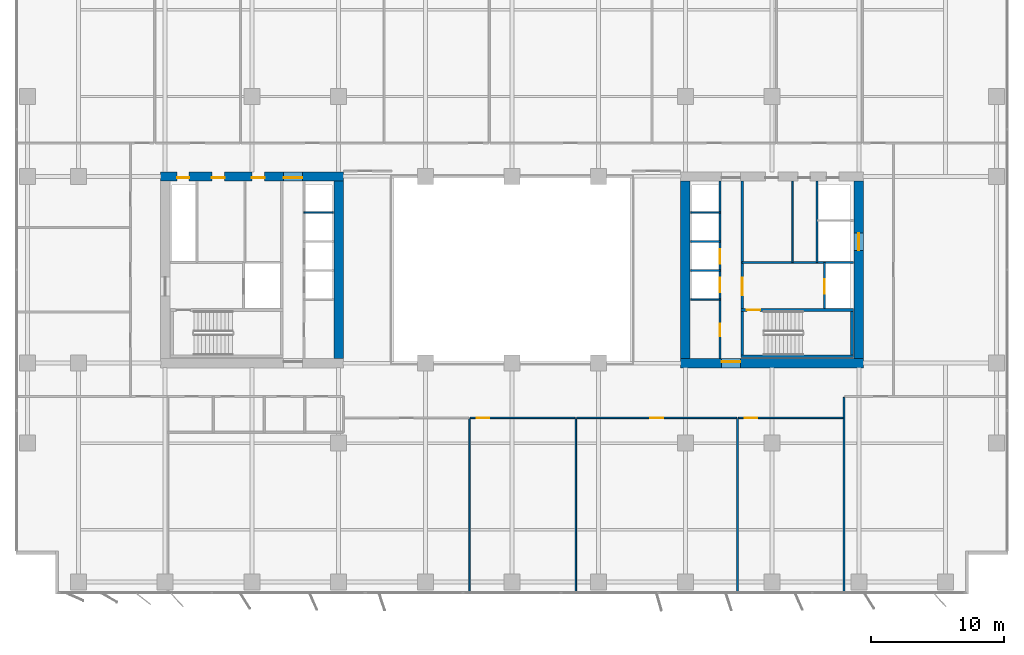
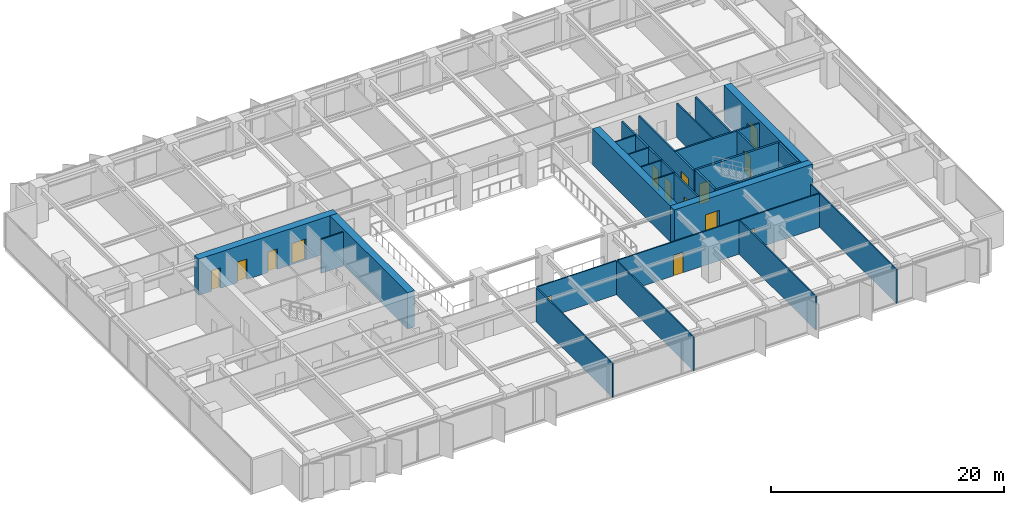
# One storey, part 14 of 20: 27 walls, 15 doors, 15 openings.
"""IFC4 building model written with IfcOpenShell, lengths in metres."""

from ifc_helpers import new_model, si_unit, direction, frame, frame_2d, origin, place, context, subcontext, project, spatial, rectangle, extrude, material, layer, layer_set, type_object, element, fill, save


model = new_model("IFC4")

# Units and contexts
model_context = context("Model", 3, precision=1e-05, world=origin(), true_north=direction((0.0, 1.0)))
body_context = subcontext(model_context, "Body", "Model", "MODEL_VIEW")
ifc_project = project(units=[si_unit("LENGTHUNIT", "METRE"), si_unit("AREAUNIT", "SQUARE_METRE"), si_unit("VOLUMEUNIT", "CUBIC_METRE"), si_unit("PLANEANGLEUNIT", "RADIAN"), si_unit("MASSUNIT", "GRAM", prefix="KILO")], contexts=[model_context])

# Site, building, storey
site_placement = place(None, origin())
site = spatial("IfcSite", under=ifc_project, at=site_placement, CompositionType="ELEMENT")
building_placement = place(site_placement, origin())
building = spatial("IfcBuilding", under=site, at=building_placement, Name="Putna Gate Headquarters", CompositionType="ELEMENT")
storey_placement = place(building_placement, frame((0.0, 0.0, 124.0)))
storey = spatial("IfcBuildingStorey", under=building, at=storey_placement, Name="L30", CompositionType="ELEMENT", Elevation=124.0)

# Wall, openings, doors
ifc_material_1 = material(Name="Concrete C60/75", Category="concrete")
ifc_layer_1 = layer(ifc_material_1, 0.699951171875)
ifc_layer_set_1 = layer_set([ifc_layer_1], Name="Concrete C60/75")
wall_type_1 = type_object("IfcWallType", Name="WALL-CORE-700", PredefinedType="SHEAR", material=ifc_layer_set_1)
wall_1_placement = place(storey_placement, frame((12.64990234375, 33.0, 0.0), z_axis=(0.0, 0.0, 1.0), x_axis=(1.0, 0.0, 0.0)))
wall_1 = element("IfcWall", 1, at=wall_1_placement, inside=storey, type_object=wall_type_1, Name="L30 WC Split Core Shear Wall N", PredefinedType="SHEAR", context=body_context, shape_type="SweptSolid", body=[
    extrude(rectangle(XDim=13.7001953125, YDim=0.699951171875, at=frame_2d((6.85009765625, 0.0))), origin(), (0.0, 0.0, 1.0), 3.800048828125),
])
opening_1_placement = place(wall_1_placement, frame((1.25, 0.0, 0.0)))
opening_1 = element("IfcOpeningElement", 2, at=opening_1_placement, cuts=wall_1, Name="Opening RD-90", PredefinedType="OPENING", context=body_context, shape_type="SweptSolid", body=[
    extrude(rectangle(XDim=0.89990234375, YDim=2.14990234375, at=frame_2d((0.449951171875, 1.074951171875))), frame((0.0, 0.35986328125, 0.0), z_axis=(0.0, -1.0, 0.0), x_axis=(1.0, 0.0, 0.0)), (0.0, 0.0, 1.0), 0.719970703125),
])
opening_2_placement = place(wall_1_placement, frame((3.85009765625, 0.0, 0.0)))
opening_2 = element("IfcOpeningElement", 3, at=opening_2_placement, cuts=wall_1, Name="Opening IDS-95", PredefinedType="OPENING", context=body_context, shape_type="SweptSolid", body=[
    extrude(rectangle(XDim=0.949951171875, YDim=2.14990234375, at=frame_2d((0.47509765625, 1.074951171875))), frame((0.0, 0.35986328125, 0.0), z_axis=(0.0, -1.0, 0.0), x_axis=(1.0, 0.0, 0.0)), (0.0, 0.0, 1.0), 0.719970703125),
])
opening_3_placement = place(wall_1_placement, frame((6.85009765625, 0.0, 0.0)))
opening_3 = element("IfcOpeningElement", 4, at=opening_3_placement, cuts=wall_1, Name="Opening IDS-95", PredefinedType="OPENING", context=body_context, shape_type="SweptSolid", body=[
    extrude(rectangle(XDim=0.949951171875, YDim=2.14990234375, at=frame_2d((0.47509765625, 1.074951171875))), frame((0.0, 0.35986328125, 0.0), z_axis=(0.0, -1.0, 0.0), x_axis=(1.0, 0.0, 0.0)), (0.0, 0.0, 1.0), 0.719970703125),
])
opening_4_placement = place(wall_1_placement, frame((9.22998046875, 0.0, 0.0)))
opening_4 = element("IfcOpeningElement", 5, at=opening_4_placement, cuts=wall_1, Name="Opening FDD-140", PredefinedType="OPENING", context=body_context, shape_type="SweptSolid", body=[
    extrude(rectangle(XDim=1.39990234375, YDim=2.199951171875, at=frame_2d((0.699951171875, 1.10009765625))), frame((0.0, 0.35986328125, 0.0), z_axis=(0.0, -1.0, 0.0), x_axis=(1.0, 0.0, 0.0)), (0.0, 0.0, 1.0), 0.719970703125),
])
ifc_material_2 = material(Name="Double steel fire door", Category="steel")
door_type_1 = type_object("IfcDoorType", Name="DOOR-FIRE-DBL-1400", OperationType="DOUBLE_DOOR_SINGLE_SWING", PredefinedType="DOOR", material=ifc_material_2)
door_1_placement = place(opening_4_placement, origin())
door_1 = element("IfcDoor", 6, at=door_1_placement, inside=storey, type_object=door_type_1, Name="L30 West Lift Lobby North Door", OperationType="DOUBLE_DOOR_SINGLE_SWING", OverallHeight=2.199951171875, OverallWidth=1.39990234375, PredefinedType="DOOR", context=body_context, shape_type="SweptSolid", body=[
    extrude(rectangle(XDim=1.39990234375, YDim=2.199951171875, at=frame_2d((0.699951171875, 1.10009765625))), frame((0.0, -0.0751953125, 0.0), z_axis=(0.0, -1.0, 0.0), x_axis=(1.0, 0.0, 0.0)), (0.0, 0.0, 1.0), 0.050048828125),
])
fill(opening_4, door_1)
ifc_material_3 = material(Name="Fire-rated service timber door", Category="wood")
door_type_2 = type_object("IfcDoorType", Name="DOOR-INT-950", OperationType="NOTDEFINED", PredefinedType="DOOR", material=ifc_material_3)
door_2_placement = place(opening_2_placement, origin())
door_2 = element("IfcDoor", 7, at=door_2_placement, inside=storey, type_object=door_type_2, Name="L30 Cleaner Store Door", OperationType="SINGLE_SWING_LEFT", OverallHeight=2.14990234375, OverallWidth=0.949951171875, PredefinedType="DOOR", context=body_context, shape_type="SweptSolid", body=[
    extrude(rectangle(XDim=0.949951171875, YDim=2.14990234375, at=frame_2d((0.47509765625, 1.074951171875))), frame((0.0, -0.0751953125, 0.0), z_axis=(0.0, -1.0, 0.0), x_axis=(1.0, 0.0, 0.0)), (0.0, 0.0, 1.0), 0.050048828125),
])
fill(opening_2, door_2)
door_3_placement = place(opening_3_placement, origin())
door_3 = element("IfcDoor", 8, at=door_3_placement, inside=storey, type_object=door_type_2, Name="L30 Comms Plant Door", OperationType="SINGLE_SWING_RIGHT", OverallHeight=2.14990234375, OverallWidth=0.949951171875, PredefinedType="DOOR", context=body_context, shape_type="SweptSolid", body=[
    extrude(rectangle(XDim=0.949951171875, YDim=2.14990234375, at=frame_2d((0.47509765625, 1.074951171875))), frame((0.0, -0.0751953125, 0.0), z_axis=(0.0, -1.0, 0.0), x_axis=(1.0, 0.0, 0.0)), (0.0, 0.0, 1.0), 0.050048828125),
])
fill(opening_3, door_3)
ifc_material_4 = material(Name="Steel riser access fire door", Category="steel")
door_type_3 = type_object("IfcDoorType", Name="DOOR-RISER-900", OperationType="NOTDEFINED", PredefinedType="DOOR", material=ifc_material_4)
door_4_placement = place(opening_1_placement, origin())
door_4 = element("IfcDoor", 9, at=door_4_placement, inside=storey, type_object=door_type_3, Name="L30 West Riser Access Door", OperationType="SINGLE_SWING_RIGHT", OverallHeight=2.14990234375, OverallWidth=0.89990234375, PredefinedType="DOOR", context=body_context, shape_type="SweptSolid", body=[
    extrude(rectangle(XDim=0.89990234375, YDim=2.14990234375, at=frame_2d((0.449951171875, 1.074951171875))), frame((0.0, -0.0751953125, 0.0), z_axis=(0.0, -1.0, 0.0), x_axis=(1.0, 0.0, 0.0)), (0.0, 0.0, 1.0), 0.050048828125),
])
fill(opening_1, door_4)

# Wall
wall_2_placement = place(storey_placement, frame((26.0, 19.35009765625, 0.0), z_axis=(0.0, 0.0, 1.0), x_axis=(0.0, 1.0, 0.0)))
element("IfcWall", 10, at=wall_2_placement, inside=storey, type_object=wall_type_1, Name="L30 WC Split Core Shear Wall E", PredefinedType="SHEAR", context=body_context, shape_type="SweptSolid", body=[
    extrude(rectangle(XDim=13.2998046875, YDim=0.699951171875, at=frame_2d((6.64990234375, 0.0))), origin(), (0.0, 0.0, 1.0), 3.800048828125),
])

# Wall, opening, door
wall_3_placement = place(storey_placement, frame((51.64990234375, 19.0, 0.0), z_axis=(0.0, 0.0, 1.0), x_axis=(1.0, 0.0, 0.0)))
wall_3 = element("IfcWall", 11, at=wall_3_placement, inside=storey, type_object=wall_type_1, Name="L30 EC Split Core Shear Wall S", PredefinedType="SHEAR", context=body_context, shape_type="SweptSolid", body=[
    extrude(rectangle(XDim=13.7001953125, YDim=0.699951171875, at=frame_2d((6.85009765625, 0.0))), origin(), (0.0, 0.0, 1.0), 3.800048828125),
])
opening_5_placement = place(wall_3_placement, frame((3.070068359375, 0.0, 0.0)))
opening_5 = element("IfcOpeningElement", 12, at=opening_5_placement, cuts=wall_3, Name="Opening FDD-140", PredefinedType="OPENING", context=body_context, shape_type="SweptSolid", body=[
    extrude(rectangle(XDim=1.39990234375, YDim=2.199951171875, at=frame_2d((0.699951171875, 1.10009765625))), frame((0.0, 0.35986328125, 0.0), z_axis=(0.0, -1.0, 0.0), x_axis=(1.0, 0.0, 0.0)), (0.0, 0.0, 1.0), 0.719970703125),
])
door_5_placement = place(opening_5_placement, origin())
door_5 = element("IfcDoor", 13, at=door_5_placement, inside=storey, type_object=door_type_1, Name="L30 East Lift Lobby South Door", OperationType="DOUBLE_DOOR_SINGLE_SWING", OverallHeight=2.199951171875, OverallWidth=1.39990234375, PredefinedType="DOOR", context=body_context, shape_type="SweptSolid", body=[
    extrude(rectangle(XDim=1.39990234375, YDim=2.199951171875, at=frame_2d((0.699951171875, 1.10009765625))), frame((0.0, 0.125, 0.0), z_axis=(0.0, -1.0, 0.0), x_axis=(1.0, 0.0, 0.0)), (0.0, 0.0, 1.0), 0.050048828125),
])
fill(opening_5, door_5)

# Wall
wall_4_placement = place(storey_placement, frame((52.0, 19.35009765625, 0.0), z_axis=(0.0, 0.0, 1.0), x_axis=(0.0, 1.0, 0.0)))
element("IfcWall", 14, at=wall_4_placement, inside=storey, type_object=wall_type_1, Name="L30 EC Split Core Shear Wall W", PredefinedType="SHEAR", context=body_context, shape_type="SweptSolid", body=[
    extrude(rectangle(XDim=13.2998046875, YDim=0.699951171875, at=frame_2d((6.64990234375, 0.0))), origin(), (0.0, 0.0, 1.0), 3.800048828125),
])

# Wall, opening, door
wall_5_placement = place(storey_placement, frame((65.0, 19.35009765625, 0.0), z_axis=(0.0, 0.0, 1.0), x_axis=(0.0, 1.0, 0.0)))
wall_5 = element("IfcWall", 15, at=wall_5_placement, inside=storey, type_object=wall_type_1, Name="L30 EC Split Core Shear Wall E", PredefinedType="SHEAR", context=body_context, shape_type="SweptSolid", body=[
    extrude(rectangle(XDim=13.2998046875, YDim=0.699951171875, at=frame_2d((6.64990234375, 0.0))), origin(), (0.0, 0.0, 1.0), 3.800048828125),
])
opening_6_placement = place(wall_5_placement, frame((8.10009765625, 0.0, 0.0)))
opening_6 = element("IfcOpeningElement", 16, at=opening_6_placement, cuts=wall_5, Name="Opening LD-2", PredefinedType="OPENING", context=body_context, shape_type="SweptSolid", body=[
    extrude(rectangle(XDim=1.300048828125, YDim=2.199951171875, at=frame_2d((0.64990234375, 1.10009765625))), frame((0.0, 0.35986328125, 0.0), z_axis=(0.0, -1.0, 0.0), x_axis=(1.0, 0.0, 0.0)), (0.0, 0.0, 1.0), 0.719970703125),
])
ifc_material_5 = material(Name="Heavy-duty goods lift sliding landing door")
door_type_4 = type_object("IfcDoorType", Name="DOOR-LIFT-1300", OperationType="DOUBLE_DOOR_SLIDING", PredefinedType="DOOR", material=ifc_material_5)
door_6_placement = place(opening_6_placement, origin())
door_6 = element("IfcDoor", 17, at=door_6_placement, inside=storey, type_object=door_type_4, Name="L30 Goods Lift Landing Door LD-15", OperationType="DOUBLE_DOOR_SLIDING", OverallHeight=2.199951171875, OverallWidth=1.300048828125, PredefinedType="DOOR", context=body_context, shape_type="SweptSolid", body=[
    extrude(rectangle(XDim=1.300048828125, YDim=2.199951171875, at=frame_2d((0.64990234375, 1.10009765625))), frame((0.0, 0.02490234375, 0.0), z_axis=(0.0, -1.0, 0.0), x_axis=(1.0, 0.0, 0.0)), (0.0, 0.0, 1.0), 0.050048828125),
])
fill(opening_6, door_6)

# Walls
ifc_material_6 = material(Name="Acoustic gypsum board on metal stud")
ifc_layer_2 = layer(ifc_material_6, 0.1201171875)
ifc_layer_set_2 = layer_set([ifc_layer_2], Name="Acoustic gypsum board on metal stud")
wall_type_2 = type_object("IfcWallType", Name="WALL-PART-120", PredefinedType="PARTITIONING", material=ifc_layer_set_2)
for number, where, z_axis, x_axis, name in (
    (18, (35.800048828125, 1.719970703125, 0.0), (0.0, 0.0, 1.0), (0.0, 1.0, 0.0), "L30 Interior Wall PART-L30-SB-DIV-02"),
    (19, (43.784912109375, 1.719970703125, 0.0), (0.0, 0.0, 1.0), (0.0, 1.0, 0.0), "L30 Interior Wall PART-L30-SB-DIV-03"),
    (20, (55.909912109375, 1.719970703125, 0.0), (0.0, 0.0, 1.0), (0.0, 1.0, 0.0), "L30 Interior Wall PART-L30-SB-DIV-04"),
):
    element("IfcWall", number, at=place(storey_placement, frame(where, z_axis=z_axis, x_axis=x_axis)), inside=storey, type_object=wall_type_2, Name=name, PredefinedType="PARTITIONING", context=body_context, shape_type="SweptSolid", body=[
        extrude(rectangle(XDim=13.1201171875, YDim=0.1201171875, at=frame_2d((6.56005859375, 0.0))), origin(), (0.0, 0.0, 1.0), 3.56494140625),
    ])
wall_6_placement = place(storey_placement, frame((63.89501953125, 1.719970703125, 0.0), z_axis=(0.0, 0.0, 1.0), x_axis=(0.0, 1.0, 0.0)))
element("IfcWall", 21, at=wall_6_placement, inside=storey, type_object=wall_type_2, Name="L30 Interior Wall PART-L30-SB-DIV-05", PredefinedType="PARTITIONING", context=body_context, shape_type="SweptSolid", body=[
    extrude(rectangle(XDim=14.719970703125, YDim=0.1201171875, at=frame_2d((7.35986328125, 0.0))), origin(), (0.0, 0.0, 1.0), 3.56494140625),
])
ifc_material_7 = material(Name="Fire-rated shaftwall gypsum board on metal stud")
ifc_layer_3 = layer(ifc_material_7, 0.1201171875)
ifc_layer_set_3 = layer_set([ifc_layer_3], Name="Fire-rated shaftwall gypsum board on metal stud")
wall_type_3 = type_object("IfcWallType", Name="WALL-PART-120-EI120", PredefinedType="PARTITIONING", material=ifc_layer_set_3)
for number, where, z_axis, x_axis, name in (
    (22, (23.39990234375, 30.31005859375, 0.0), (0.0, 0.0, 1.0), (1.0, 0.0, 0.0), "L30 Interior Wall CWINT-L30-WC-LF09-DIV"),
    (23, (52.39990234375, 25.949951171875, 0.0), (0.0, 0.0, 1.0), (1.0, 0.0, 0.0), "L30 Interior Wall CWINT-L30-EC-LF07-DIV"),
    (24, (52.39990234375, 28.1201171875, 0.0), (0.0, 0.0, 1.0), (1.0, 0.0, 0.0), "L30 Interior Wall CWINT-L30-EC-LF08-DIV"),
    (25, (52.39990234375, 30.31005859375, 0.0), (0.0, 0.0, 1.0), (1.0, 0.0, 0.0), "L30 Interior Wall CWINT-L30-EC-LF11-DIV"),
):
    element("IfcWall", number, at=place(storey_placement, frame(where, z_axis=z_axis, x_axis=x_axis)), inside=storey, type_object=wall_type_3, Name=name, PredefinedType="PARTITIONING", context=body_context, shape_type="SweptSolid", body=[
        extrude(rectangle(XDim=2.2001953125, YDim=0.1201171875, at=frame_2d((1.10009765625, 0.0))), origin(), (0.0, 0.0, 1.0), 3.56494140625),
    ])
ifc_material_8 = material(Name="Fire-rated gypsum board on metal stud")
ifc_layer_4 = layer(ifc_material_8, 0.1201171875)
ifc_layer_set_4 = layer_set([ifc_layer_4], Name="Fire-rated gypsum board on metal stud")
wall_type_4 = type_object("IfcWallType", Name="WALL-PART-120-RATED", PredefinedType="PARTITIONING", material=ifc_layer_set_4)
wall_7_placement = place(storey_placement, frame((52.39990234375, 23.780029296875, 0.0), z_axis=(0.0, 0.0, 1.0), x_axis=(1.0, 0.0, 0.0)))
element("IfcWall", 26, at=wall_7_placement, inside=storey, type_object=wall_type_4, Name="L30 Interior Wall CWINT-L30-EC-LF04-DIV", PredefinedType="PARTITIONING", context=body_context, shape_type="SweptSolid", body=[
    extrude(rectangle(XDim=2.2001953125, YDim=0.1201171875, at=frame_2d((1.10009765625, 0.0))), origin(), (0.0, 0.0, 1.0), 3.56494140625),
])
wall_8_placement = place(storey_placement, frame((60.02001953125, 26.56005859375, 0.0), z_axis=(0.0, 0.0, 1.0), x_axis=(0.0, 1.0, 0.0)))
element("IfcWall", 27, at=wall_8_placement, inside=storey, type_object=wall_type_4, Name="L30 Interior Wall CWINT-L30-EC-K0-DIV", PredefinedType="PARTITIONING", context=body_context, shape_type="SweptSolid", body=[
    extrude(rectangle(XDim=6.08984375, YDim=0.1201171875, at=frame_2d((3.044921875, 0.0))), origin(), (0.0, 0.0, 1.0), 3.56494140625),
])

# Wall, opening, door
wall_9_placement = place(storey_placement, frame((35.860107421875, 14.89990234375, 0.0), z_axis=(0.0, 0.0, 1.0), x_axis=(1.0, 0.0, 0.0)))
wall_9 = element("IfcWall", 28, at=wall_9_placement, inside=storey, type_object=wall_type_4, Name="L30 Interior Wall PART-L30-SB-CW-03", PredefinedType="PARTITIONING", context=body_context, shape_type="SweptSolid", body=[
    extrude(rectangle(XDim=7.86474609375, YDim=0.1201171875, at=frame_2d((3.932373046875, 0.0))), origin(), (0.0, 0.0, 1.0), 3.56494140625),
])
opening_7_placement = place(wall_9_placement, frame((0.47998046875, 0.0, 0.0)))
opening_7 = element("IfcOpeningElement", 29, at=opening_7_placement, cuts=wall_9, Name="Opening FD-95", PredefinedType="OPENING", context=body_context, shape_type="SweptSolid", body=[
    extrude(rectangle(XDim=0.949951171875, YDim=2.14990234375, at=frame_2d((0.47509765625, 1.074951171875))), frame((0.0, 0.070068359375, 0.0), z_axis=(0.0, -1.0, 0.0), x_axis=(1.0, 0.0, 0.0)), (0.0, 0.0, 1.0), 0.14013671875),
])
ifc_material_9 = material(Name="Acoustic timber fire door", Category="wood")
door_type_5 = type_object("IfcDoorType", Name="DOOR-FIRE-950", OperationType="NOTDEFINED", PredefinedType="DOOR", material=ifc_material_9)
door_7_placement = place(opening_7_placement, origin())
door_7 = element("IfcDoor", 30, at=door_7_placement, inside=storey, type_object=door_type_5, Name="L30 Collaborative Breakout Lounge 1 Door", OperationType="SINGLE_SWING_LEFT", OverallHeight=2.14990234375, OverallWidth=0.949951171875, PredefinedType="DOOR", context=body_context, shape_type="SweptSolid", body=[
    extrude(rectangle(XDim=0.949951171875, YDim=2.14990234375, at=frame_2d((0.47509765625, 1.074951171875))), frame((0.0, 0.02490234375, 0.0), z_axis=(0.0, -1.0, 0.0), x_axis=(1.0, 0.0, 0.0)), (0.0, 0.0, 1.0), 0.050048828125),
])
fill(opening_7, door_7)

wall_10_placement = place(storey_placement, frame((43.844970703125, 14.89990234375, 0.0), z_axis=(0.0, 0.0, 1.0), x_axis=(1.0, 0.0, 0.0)))
wall_10 = element("IfcWall", 31, at=wall_10_placement, inside=storey, type_object=wall_type_4, Name="L30 Interior Wall PART-L30-SB-CW-04", PredefinedType="PARTITIONING", context=body_context, shape_type="SweptSolid", body=[
    extrude(rectangle(XDim=12.005126953125, YDim=0.1201171875, at=frame_2d((6.00244140625, 0.0))), origin(), (0.0, 0.0, 1.0), 3.56494140625),
])
opening_8_placement = place(wall_10_placement, frame((5.527587890625, 0.0, 0.0)))
opening_8 = element("IfcOpeningElement", 32, at=opening_8_placement, cuts=wall_10, Name="Opening FD-95", PredefinedType="OPENING", context=body_context, shape_type="SweptSolid", body=[
    extrude(rectangle(XDim=0.949951171875, YDim=2.14990234375, at=frame_2d((0.47509765625, 1.074951171875))), frame((0.0, 0.070068359375, 0.0), z_axis=(0.0, -1.0, 0.0), x_axis=(1.0, 0.0, 0.0)), (0.0, 0.0, 1.0), 0.14013671875),
])
door_8_placement = place(opening_8_placement, origin())
door_8 = element("IfcDoor", 33, at=door_8_placement, inside=storey, type_object=door_type_5, Name="L30 Collaborative Breakout Lounge 2 Door", OperationType="SINGLE_SWING_RIGHT", OverallHeight=2.14990234375, OverallWidth=0.949951171875, PredefinedType="DOOR", context=body_context, shape_type="SweptSolid", body=[
    extrude(rectangle(XDim=0.949951171875, YDim=2.14990234375, at=frame_2d((0.47509765625, 1.074951171875))), frame((0.0, 0.02490234375, 0.0), z_axis=(0.0, -1.0, 0.0), x_axis=(1.0, 0.0, 0.0)), (0.0, 0.0, 1.0), 0.050048828125),
])
fill(opening_8, door_8)

wall_11_placement = place(storey_placement, frame((55.969970703125, 14.89990234375, 0.0), z_axis=(0.0, 0.0, 1.0), x_axis=(1.0, 0.0, 0.0)))
wall_11 = element("IfcWall", 34, at=wall_11_placement, inside=storey, type_object=wall_type_4, Name="L30 Interior Wall PART-L30-SB-CW-05", PredefinedType="PARTITIONING", context=body_context, shape_type="SweptSolid", body=[
    extrude(rectangle(XDim=7.864990234375, YDim=0.1201171875, at=frame_2d((3.9326171875, 0.0))), origin(), (0.0, 0.0, 1.0), 3.56494140625),
])
opening_9_placement = place(wall_11_placement, frame((0.47998046875, 0.0, 0.0)))
opening_9 = element("IfcOpeningElement", 35, at=opening_9_placement, cuts=wall_11, Name="Opening FD-95", PredefinedType="OPENING", context=body_context, shape_type="SweptSolid", body=[
    extrude(rectangle(XDim=0.949951171875, YDim=2.14990234375, at=frame_2d((0.47509765625, 1.074951171875))), frame((0.0, 0.070068359375, 0.0), z_axis=(0.0, -1.0, 0.0), x_axis=(1.0, 0.0, 0.0)), (0.0, 0.0, 1.0), 0.14013671875),
])
door_9_placement = place(opening_9_placement, origin())
door_9 = element("IfcDoor", 36, at=door_9_placement, inside=storey, type_object=door_type_5, Name="L30 Collaborative Breakout Lounge 3 Door", OperationType="SINGLE_SWING_LEFT", OverallHeight=2.14990234375, OverallWidth=0.949951171875, PredefinedType="DOOR", context=body_context, shape_type="SweptSolid", body=[
    extrude(rectangle(XDim=0.949951171875, YDim=2.14990234375, at=frame_2d((0.47509765625, 1.074951171875))), frame((0.0, 0.02490234375, 0.0), z_axis=(0.0, -1.0, 0.0), x_axis=(1.0, 0.0, 0.0)), (0.0, 0.0, 1.0), 0.050048828125),
])
fill(opening_9, door_9)

# Wall, openings, doors
ifc_material_10 = material(Name="Concrete C40/50", Category="concrete")
ifc_layer_5 = layer(ifc_material_10, 0.159912109375)
ifc_layer_set_5 = layer_set([ifc_layer_5], Name="Concrete C40/50")
wall_type_5 = type_object("IfcWallType", Name="WALL-SHAFT-160", PredefinedType="STANDARD", material=ifc_layer_set_5)
wall_12_placement = place(storey_placement, frame((54.60009765625, 19.35009765625, 0.0), z_axis=(0.0, 0.0, 1.0), x_axis=(0.0, 1.0, 0.0)))
wall_12 = element("IfcWall", 37, at=wall_12_placement, inside=storey, type_object=wall_type_5, Name="L30 Interior Wall CWINT-L30-EC-PL-WALL", PredefinedType="STANDARD", context=body_context, shape_type="SweptSolid", body=[
    extrude(rectangle(XDim=13.2998046875, YDim=0.159912109375, at=frame_2d((6.64990234375, 0.0))), origin(), (0.0, 0.0, 1.0), 3.56494140625),
])
opening_10_placement = place(wall_12_placement, frame((1.64990234375, 0.0, 0.0)))
opening_10 = element("IfcOpeningElement", 38, at=opening_10_placement, cuts=wall_12, Name="Opening IDS-95", PredefinedType="OPENING", context=body_context, shape_type="SweptSolid", body=[
    extrude(rectangle(XDim=0.949951171875, YDim=2.14990234375, at=frame_2d((0.47509765625, 1.074951171875))), frame((0.0, 0.08984375, 0.0), z_axis=(0.0, -1.0, 0.0), x_axis=(1.0, 0.0, 0.0)), (0.0, 0.0, 1.0), 0.179931640625),
])
opening_11_placement = place(wall_12_placement, frame((4.949951171875, 0.0, 0.0)))
opening_11 = element("IfcOpeningElement", 39, at=opening_11_placement, cuts=wall_12, Name="Opening LD-1", PredefinedType="OPENING", context=body_context, shape_type="SweptSolid", body=[
    extrude(rectangle(XDim=1.10009765625, YDim=2.199951171875, at=frame_2d((0.550048828125, 1.10009765625))), frame((0.0, 0.08984375, 0.0), z_axis=(0.0, -1.0, 0.0), x_axis=(1.0, 0.0, 0.0)), (0.0, 0.0, 1.0), 0.179931640625),
])
opening_12_placement = place(wall_12_placement, frame((7.10009765625, 0.0, 0.0)))
opening_12 = element("IfcOpeningElement", 40, at=opening_12_placement, cuts=wall_12, Name="Opening LD-1", PredefinedType="OPENING", context=body_context, shape_type="SweptSolid", body=[
    extrude(rectangle(XDim=1.10009765625, YDim=2.199951171875, at=frame_2d((0.550048828125, 1.10009765625))), frame((0.0, 0.08984375, 0.0), z_axis=(0.0, -1.0, 0.0), x_axis=(1.0, 0.0, 0.0)), (0.0, 0.0, 1.0), 0.179931640625),
])
door_10_placement = place(opening_10_placement, origin())
door_10 = element("IfcDoor", 41, at=door_10_placement, inside=storey, type_object=door_type_2, Name="L30 Stationery Store Door", OperationType="SINGLE_SWING_RIGHT", OverallHeight=2.14990234375, OverallWidth=0.949951171875, PredefinedType="DOOR", context=body_context, shape_type="SweptSolid", body=[
    extrude(rectangle(XDim=0.949951171875, YDim=2.14990234375, at=frame_2d((0.47509765625, 1.074951171875))), frame((0.0, 0.02490234375, 0.0), z_axis=(0.0, -1.0, 0.0), x_axis=(1.0, 0.0, 0.0)), (0.0, 0.0, 1.0), 0.050048828125),
])
fill(opening_10, door_10)
ifc_material_11 = material(Name="Brushed bronze stainless lift landing door")
door_type_6 = type_object("IfcDoorType", Name="DOOR-LIFT-1100", OperationType="DOUBLE_DOOR_SLIDING", PredefinedType="DOOR", material=ifc_material_11)
door_11_placement = place(opening_11_placement, origin())
door_11 = element("IfcDoor", 42, at=door_11_placement, inside=storey, type_object=door_type_6, Name="L30 Lift Landing Door LD-07", OperationType="DOUBLE_DOOR_SLIDING", OverallHeight=2.199951171875, OverallWidth=1.10009765625, PredefinedType="DOOR", context=body_context, shape_type="SweptSolid", body=[
    extrude(rectangle(XDim=1.10009765625, YDim=2.199951171875, at=frame_2d((0.550048828125, 1.10009765625))), frame((0.0, 0.02490234375, 0.0), z_axis=(0.0, -1.0, 0.0), x_axis=(1.0, 0.0, 0.0)), (0.0, 0.0, 1.0), 0.050048828125),
])
fill(opening_11, door_11)
door_12_placement = place(opening_12_placement, origin())
door_12 = element("IfcDoor", 43, at=door_12_placement, inside=storey, type_object=door_type_6, Name="L30 Lift Landing Door LD-08", OperationType="DOUBLE_DOOR_SLIDING", OverallHeight=2.199951171875, OverallWidth=1.10009765625, PredefinedType="DOOR", context=body_context, shape_type="SweptSolid", body=[
    extrude(rectangle(XDim=1.10009765625, YDim=2.199951171875, at=frame_2d((0.550048828125, 1.10009765625))), frame((0.0, 0.02490234375, 0.0), z_axis=(0.0, -1.0, 0.0), x_axis=(1.0, 0.0, 0.0)), (0.0, 0.0, 1.0), 0.050048828125),
])
fill(opening_12, door_12)

# Wall, opening, door
wall_13_placement = place(storey_placement, frame((56.260009765625, 23.090087890625, 0.0), z_axis=(0.0, 0.0, 1.0), x_axis=(0.0, 1.0, 0.0)))
wall_13 = element("IfcWall", 44, at=wall_13_placement, inside=storey, type_object=wall_type_5, Name="L30 Interior Wall CWINT-L30-EC-LOB-E", PredefinedType="STANDARD", context=body_context, shape_type="SweptSolid", body=[
    extrude(rectangle(XDim=9.559814453125, YDim=0.159912109375, at=frame_2d((4.77978515625, 0.0))), origin(), (0.0, 0.0, 1.0), 3.56494140625),
])
opening_13_placement = place(wall_13_placement, frame((1.010009765625, 0.0, 0.0)))
opening_13 = element("IfcOpeningElement", 45, at=opening_13_placement, cuts=wall_13, Name="Opening FDD-130", PredefinedType="OPENING", context=body_context, shape_type="SweptSolid", body=[
    extrude(rectangle(XDim=1.300048828125, YDim=2.199951171875, at=frame_2d((0.64990234375, 1.10009765625))), frame((0.0, 0.08984375, 0.0), z_axis=(0.0, -1.0, 0.0), x_axis=(1.0, 0.0, 0.0)), (0.0, 0.0, 1.0), 0.179931640625),
])
ifc_material_12 = material(Name="Double steel lobby fire door", Category="steel")
door_type_7 = type_object("IfcDoorType", Name="DOOR-FIRE-DBL-1300", OperationType="DOUBLE_DOOR_SINGLE_SWING", PredefinedType="DOOR", material=ifc_material_12)
door_13_placement = place(opening_13_placement, origin())
door_13 = element("IfcDoor", 46, at=door_13_placement, inside=storey, type_object=door_type_7, Name="L30 East Firefighting Lobby Door", OperationType="DOUBLE_DOOR_SINGLE_SWING", OverallHeight=2.199951171875, OverallWidth=1.300048828125, PredefinedType="DOOR", context=body_context, shape_type="SweptSolid", body=[
    extrude(rectangle(XDim=1.300048828125, YDim=2.199951171875, at=frame_2d((0.64990234375, 1.10009765625))), frame((0.0, 0.02490234375, 0.0), z_axis=(0.0, -1.0, 0.0), x_axis=(1.0, 0.0, 0.0)), (0.0, 0.0, 1.0), 0.050048828125),
])
fill(opening_13, door_13)

wall_14_placement = place(storey_placement, frame((62.429931640625, 23.090087890625, 0.0), z_axis=(0.0, 0.0, 1.0), x_axis=(0.0, 1.0, 0.0)))
wall_14 = element("IfcWall", 47, at=wall_14_placement, inside=storey, type_object=wall_type_5, Name="L30 Interior Wall CWINT-L30-EC-LF14-W", PredefinedType="STANDARD", context=body_context, shape_type="SweptSolid", body=[
    extrude(rectangle(XDim=3.469970703125, YDim=0.159912109375, at=frame_2d((1.73486328125, 0.0))), origin(), (0.0, 0.0, 1.0), 3.56494140625),
])
opening_14_placement = place(wall_14_placement, frame((1.10009765625, 0.0, 0.0)))
opening_14 = element("IfcOpeningElement", 48, at=opening_14_placement, cuts=wall_14, Name="Opening LD-1", PredefinedType="OPENING", context=body_context, shape_type="SweptSolid", body=[
    extrude(rectangle(XDim=1.10009765625, YDim=2.199951171875, at=frame_2d((0.550048828125, 1.10009765625))), frame((0.0, 0.08984375, 0.0), z_axis=(0.0, -1.0, 0.0), x_axis=(1.0, 0.0, 0.0)), (0.0, 0.0, 1.0), 0.179931640625),
])
door_14_placement = place(opening_14_placement, origin())
door_14 = element("IfcDoor", 49, at=door_14_placement, inside=storey, type_object=door_type_6, Name="L30 Lift Landing Door LD-14", OperationType="DOUBLE_DOOR_SLIDING", OverallHeight=2.199951171875, OverallWidth=1.10009765625, PredefinedType="DOOR", context=body_context, shape_type="SweptSolid", body=[
    extrude(rectangle(XDim=1.10009765625, YDim=2.199951171875, at=frame_2d((0.550048828125, 1.10009765625))), frame((0.0, 0.02490234375, 0.0), z_axis=(0.0, -1.0, 0.0), x_axis=(1.0, 0.0, 0.0)), (0.0, 0.0, 1.0), 0.050048828125),
])
fill(opening_14, door_14)

# Walls
wall_15_placement = place(storey_placement, frame((56.260009765625, 26.56005859375, 0.0), z_axis=(0.0, 0.0, 1.0), x_axis=(1.0, 0.0, 0.0)))
element("IfcWall", 50, at=wall_15_placement, inside=storey, type_object=wall_type_5, Name="L30 Interior Wall CWINT-L30-EC-FFL-N", PredefinedType="STANDARD", context=body_context, shape_type="SweptSolid", body=[
    extrude(rectangle(XDim=8.340087890625, YDim=0.159912109375, at=frame_2d((4.169921875, 0.0))), origin(), (0.0, 0.0, 1.0), 3.56494140625),
])
wall_16_placement = place(storey_placement, frame((61.8701171875, 26.56005859375, 0.0), z_axis=(0.0, 0.0, 1.0), x_axis=(0.0, 1.0, 0.0)))
element("IfcWall", 51, at=wall_16_placement, inside=storey, type_object=wall_type_5, Name="L30 Interior Wall CWINT-L30-EC-LF15-W", PredefinedType="STANDARD", context=body_context, shape_type="SweptSolid", body=[
    extrude(rectangle(XDim=6.08984375, YDim=0.159912109375, at=frame_2d((3.044921875, 0.0))), origin(), (0.0, 0.0, 1.0), 3.56494140625),
])
ifc_layer_6 = layer(ifc_material_10, 0.199951171875)
ifc_layer_set_6 = layer_set([ifc_layer_6], Name="Concrete C40/50")
wall_type_6 = type_object("IfcWallType", Name="WALL-SHAFT-RC200", PredefinedType="SHEAR", material=ifc_layer_set_6)
wall_17_placement = place(storey_placement, frame((56.159912109375, 19.510009765625, 0.0), z_axis=(0.0, 0.0, 1.0), x_axis=(1.0, 0.0, 0.0)))
element("IfcWall", 52, at=wall_17_placement, inside=storey, type_object=wall_type_6, Name="L30 Stair ST2 Structural Shaft Wall S", PredefinedType="SHEAR", context=body_context, shape_type="SweptSolid", body=[
    extrude(rectangle(XDim=8.43017578125, YDim=0.199951171875, at=frame_2d((4.215087890625, 0.0))), origin(), (0.0, 0.0, 1.0), 3.800048828125),
])

# Wall, opening, door
wall_18_placement = place(storey_placement, frame((56.159912109375, 22.989990234375, 0.0), z_axis=(0.0, 0.0, 1.0), x_axis=(1.0, 0.0, 0.0)))
wall_18 = element("IfcWall", 53, at=wall_18_placement, inside=storey, type_object=wall_type_6, Name="L30 Stair ST2 Structural Shaft Wall N", PredefinedType="SHEAR", context=body_context, shape_type="SweptSolid", body=[
    extrude(rectangle(XDim=8.43017578125, YDim=0.199951171875, at=frame_2d((4.215087890625, 0.0))), origin(), (0.0, 0.0, 1.0), 3.800048828125),
])
opening_15_placement = place(wall_18_placement, frame((0.449951171875, 0.0, 0.0)))
opening_15 = element("IfcOpeningElement", 54, at=opening_15_placement, cuts=wall_18, Name="Opening FD-100", PredefinedType="OPENING", context=body_context, shape_type="SweptSolid", body=[
    extrude(rectangle(XDim=1.0, YDim=2.14990234375, at=frame_2d((0.5, 1.074951171875))), frame((0.0, 0.10986328125, 0.0), z_axis=(0.0, -1.0, 0.0), x_axis=(1.0, 0.0, 0.0)), (0.0, 0.0, 1.0), 0.219970703125),
])
ifc_material_13 = material(Name="Powder-coated steel fire door", Category="steel")
door_type_8 = type_object("IfcDoorType", Name="DOOR-FIRE-1000", OperationType="NOTDEFINED", PredefinedType="DOOR", material=ifc_material_13)
door_15_placement = place(opening_15_placement, origin())
door_15 = element("IfcDoor", 55, at=door_15_placement, inside=storey, type_object=door_type_8, Name="L30 Stair ST2 Fire Door", OperationType="SINGLE_SWING_RIGHT", OverallHeight=2.14990234375, OverallWidth=1.0, PredefinedType="DOOR", context=body_context, shape_type="SweptSolid", body=[
    extrude(rectangle(XDim=1.0, YDim=2.14990234375, at=frame_2d((0.5, 1.074951171875))), frame((0.0, 0.02490234375, 0.0), z_axis=(0.0, -1.0, 0.0), x_axis=(1.0, 0.0, 0.0)), (0.0, 0.0, 1.0), 0.050048828125),
])
fill(opening_15, door_15)

# Walls
for number, where, z_axis, x_axis, name in (
    (56, (56.260009765625, 19.610107421875, 0.0), (0.0, 0.0, 1.0), (0.0, 1.0, 0.0), "L30 Stair ST2 Structural Shaft Wall W"),
    (57, (64.489990234375, 19.610107421875, 0.0), (0.0, 0.0, 1.0), (0.0, 1.0, 0.0), "L30 Stair ST2 Structural Shaft Wall E"),
):
    element("IfcWall", number, at=place(storey_placement, frame(where, z_axis=z_axis, x_axis=x_axis)), inside=storey, type_object=wall_type_6, Name=name, PredefinedType="SHEAR", context=body_context, shape_type="SweptSolid", body=[
        extrude(rectangle(XDim=3.27978515625, YDim=0.199951171875, at=frame_2d((1.639892578125, 0.0))), origin(), (0.0, 0.0, 1.0), 3.800048828125),
    ])

save(model, "model.ifc")
